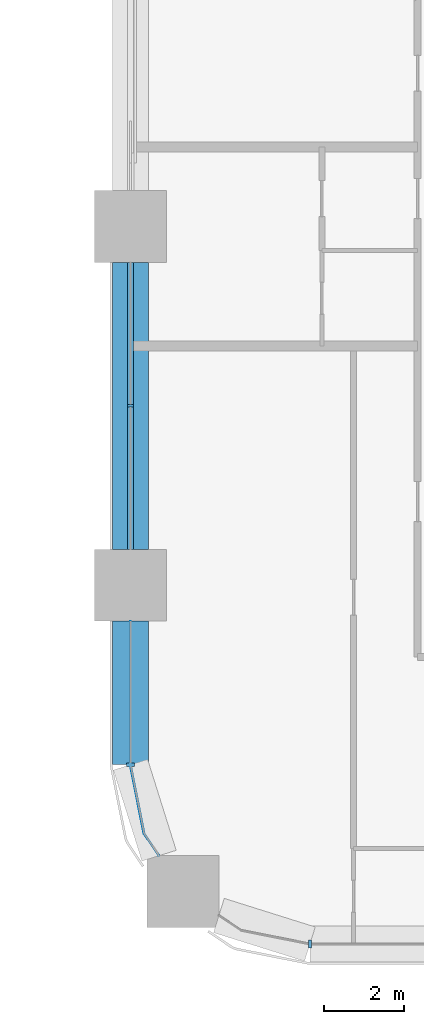
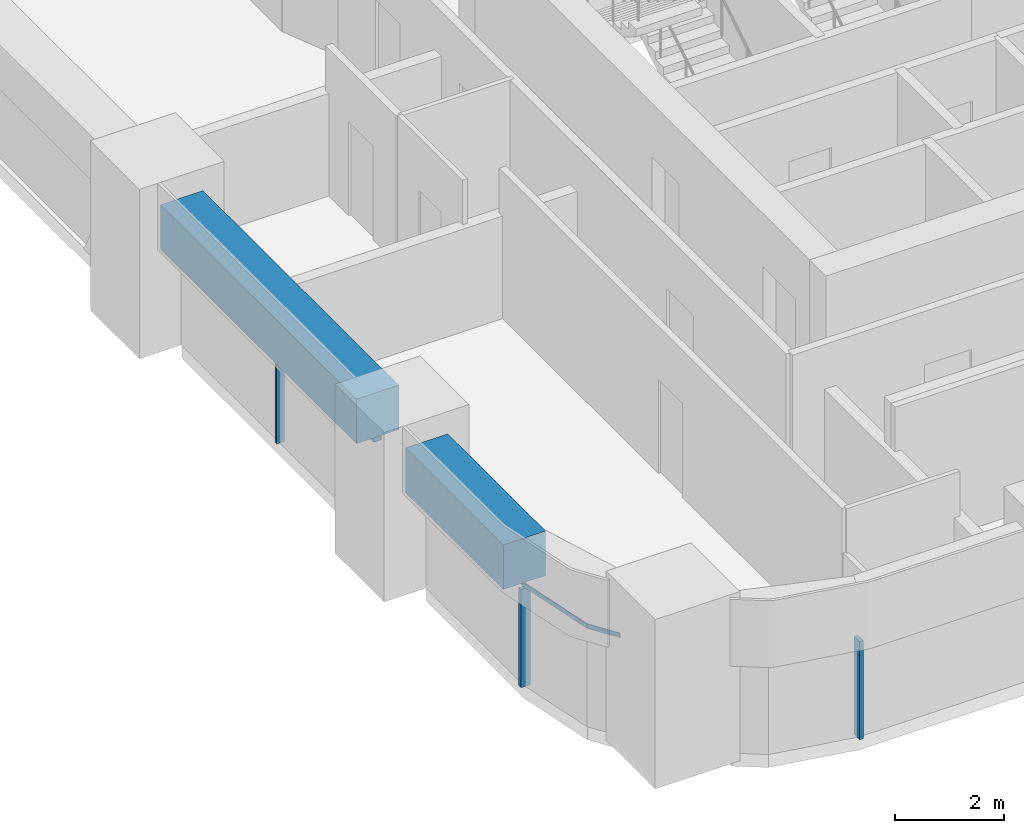
# One storey, part 2 of 20: 5 members, 2 beams, 3 elements without a shape of their own.
"""IFC4 building model written with IfcOpenShell, lengths in metres."""

import ifcopenshell
import ifcopenshell.guid

model = None  # the IFC model being written
_history = None  # IfcOwnerHistory: only IFC2X3 demands one
_inside = {}  # id of a spatial element -> (the spatial element, [elements in it])
_under = {}  # id of a project, library or spatial element -> (it, [spatial elements below it])
_declared = {}  # id of a project -> (the project, [libraries it declares])
_typed = {}  # id of a type object -> (the type object, [elements of that type])
_made_of = {}  # id of a material, layer set ... -> (it, [elements and type objects made of it])


def new_model(schema):
    """Start an empty IFC model of exactly this schema.

    Asked for "IFC4X3", IfcOpenShell would pick the latest addendum, in which some entities
    have other attributes; the version numbers below select the first issue.
    IFC2X3 requires an IfcOwnerHistory on every rooted entity: one is made here for all.
    """
    global model, _history
    if schema == "IFC4X3":
        model = ifcopenshell.file(schema_version=(4, 3, 0, 0))
    else:
        model = ifcopenshell.file(schema=schema)
    _inside.clear()
    _under.clear()
    _declared.clear()
    _typed.clear()
    _made_of.clear()
    _history = None
    if model.schema == "IFC2X3":
        org = make("IfcOrganization", Name="unknown")
        user = make(
            "IfcPersonAndOrganization",
            ThePerson=make("IfcPerson", FamilyName="unknown"),
            TheOrganization=org,
        )
        app = make(
            "IfcApplication",
            ApplicationDeveloper=org,
            Version="unknown",
            ApplicationFullName="unknown",
            ApplicationIdentifier="unknown",
        )
        _history = make(
            "IfcOwnerHistory",
            OwningUser=user,
            OwningApplication=app,
            ChangeAction="ADDED",
            CreationDate=0,
        )
    return model


def make(cls, **values):
    """One entity of the class cls with the attributes given. An attribute that is None is left unset."""
    return model.create_entity(
        cls, **{name: value for name, value in values.items() if value is not None}
    )


def rooted(cls, **values):
    """An entity with a GlobalId (a new one), such as an element, a storey or a relation."""
    return make(cls, GlobalId=ifcopenshell.guid.new(), OwnerHistory=_history, **values)


def si_unit(unit_type, name, prefix=None):
    """IfcSIUnit, for example si_unit("LENGTHUNIT", "METRE", prefix="MILLI")."""
    return make("IfcSIUnit", UnitType=unit_type, Prefix=prefix, Name=name)


def assignment(units):
    """IfcUnitAssignment: the units of a project."""
    return None if units is None else make("IfcUnitAssignment", Units=units)


def point(xyz):
    """IfcCartesianPoint."""
    return None if xyz is None else make("IfcCartesianPoint", Coordinates=xyz)


def direction(xyz):
    """IfcDirection."""
    return None if xyz is None else make("IfcDirection", DirectionRatios=xyz)


def frame(location, z_axis=None, x_axis=None):
    """IfcAxis2Placement3D, a coordinate frame: its origin and axes. An axis left out is left unset."""
    return make(
        "IfcAxis2Placement3D",
        Location=point(location),
        Axis=direction(z_axis),
        RefDirection=direction(x_axis),
    )


def frame_2d(location, x_axis=None):
    """IfcAxis2Placement2D, a coordinate frame in the plane: its origin and x axis."""
    return make(
        "IfcAxis2Placement2D", Location=point(location), RefDirection=direction(x_axis)
    )


def origin():
    """The frame at (0, 0, 0) with its axes left unset."""
    return frame((0.0, 0.0, 0.0))


def origin_2d():
    """The frame at (0, 0) in the plane with its x axis left unset."""
    return frame_2d((0.0, 0.0))


def place(relative_to, where):
    """IfcLocalPlacement: puts the frame where relative to a parent placement (None: the world)."""
    return make(
        "IfcLocalPlacement", PlacementRelTo=relative_to, RelativePlacement=where
    )


def context(
    kind, dimensions, precision=None, world=None, true_north=None, identifier=None
):
    """IfcGeometricRepresentationContext, for example the 3D "Model" context."""
    return make(
        "IfcGeometricRepresentationContext",
        ContextIdentifier=identifier,
        ContextType=kind,
        CoordinateSpaceDimension=dimensions,
        Precision=precision,
        WorldCoordinateSystem=world,
        TrueNorth=true_north,
    )


def subcontext(parent, identifier, kind, view, scale=None):
    """IfcGeometricRepresentationSubContext, for example "Body" below "Model"."""
    return make(
        "IfcGeometricRepresentationSubContext",
        ContextIdentifier=identifier,
        ContextType=kind,
        ParentContext=parent,
        TargetScale=scale,
        TargetView=view,
    )


def project(units=None, contexts=None):
    """IfcProject with its units and contexts."""
    return rooted(
        "IfcProject",
        Name="project",
        RepresentationContexts=contexts,
        UnitsInContext=assignment(units),
    )


def spatial(cls, under=None, at=None, **own):
    """A site, building, storey or space (cls), placed at a placement, below another one or the project."""
    s = rooted(cls, ObjectPlacement=at, **own)
    if under is not None:
        _under.setdefault(under.id(), (under, []))[1].append(s)
    return s


def polyline(points):
    """IfcPolyline through the points."""
    return make("IfcPolyline", Points=[point(p) for p in points])


def profile(cls, at=None, kind="AREA", **sizes):
    """A parametric profile (cls). Its sizes go by their IFC names, for example OverallWidth=200.0."""
    return make(cls, ProfileType=kind, Position=at, **sizes)


def rectangle(**sizes):
    """IfcRectangleProfileDef."""
    return profile("IfcRectangleProfileDef", **sizes)


def outline(outer, holes=None, kind="AREA"):
    """IfcArbitraryClosedProfileDef: a profile drawn as a closed curve; with holes, ...WithVoids."""
    if holes is None:
        return make("IfcArbitraryClosedProfileDef", ProfileType=kind, OuterCurve=outer)
    return make(
        "IfcArbitraryProfileDefWithVoids",
        ProfileType=kind,
        OuterCurve=outer,
        InnerCurves=holes,
    )


def extrude(swept, where, along, depth):
    """IfcExtrudedAreaSolid: the profile swept, set in the frame where, extruded along a direction by depth."""
    return make(
        "IfcExtrudedAreaSolid",
        SweptArea=swept,
        Position=where,
        ExtrudedDirection=direction(along),
        Depth=depth,
    )


def shape(context_of_items, identifier, shape_type, items):
    """IfcShapeRepresentation: the items that make up one representation, for example the "Body"."""
    return make(
        "IfcShapeRepresentation",
        ContextOfItems=context_of_items,
        RepresentationIdentifier=identifier,
        RepresentationType=shape_type,
        Items=items,
    )


def material(Name=None, Category=None):
    """IfcMaterial."""
    return make("IfcMaterial", Name=Name, Category=Category)


def material_profile(
    of_material, cross_section, Name=None, Category=None, Priority=None
):
    """IfcMaterialProfile: a cross section and its material."""
    return make(
        "IfcMaterialProfile",
        Name=Name,
        Material=of_material,
        Profile=cross_section,
        Priority=Priority,
        Category=Category,
    )


def profile_set(profiles, Name=None, composite=None):
    """IfcMaterialProfileSet."""
    return make(
        "IfcMaterialProfileSet",
        Name=Name,
        MaterialProfiles=profiles,
        CompositeProfile=composite,
    )


def made_of(thing, what):
    """Note that an element or type object is made of a material, layer set ...; save() writes the relation."""
    if what is not None:
        _made_of.setdefault(what.id(), (what, []))[1].append(thing)
    return thing


def type_object(cls, material=None, **own):
    """A type object (cls), such as IfcWallType, which elements share."""
    return made_of(rooted(cls, **own), material)


def element(
    cls,
    number,
    at=None,
    inside=None,
    cuts=None,
    type_object=None,
    material=None,
    context=None,
    identifier="Body",
    shape_type=None,
    held_by="IfcProductDefinitionShape",
    body=None,
    shapes=None,
    **own,
):
    """One element of the class cls, such as IfcWall. Its Tag is "e" and its number.

    at: its placement. inside: the storey or other place that contains it. cuts: it is an
    opening in that element (IfcRelVoidsElement). A single representation is given by context,
    identifier, shape_type and body (its items); several are given by shapes. held_by: the class
    of the entity that holds the representations. save() writes the other relations.
    """
    e = rooted(cls, Tag="e%d" % number, ObjectPlacement=at, **own)
    if body is not None:
        shapes = [shape(context, identifier, shape_type, body)]
    if shapes is not None:
        e.Representation = make(held_by, Representations=shapes)
    if inside is not None:
        _inside.setdefault(inside.id(), (inside, []))[1].append(e)
    if cuts is not None:
        rooted(
            "IfcRelVoidsElement", RelatingBuildingElement=cuts, RelatedOpeningElement=e
        )
    if type_object is not None:
        _typed.setdefault(type_object.id(), (type_object, []))[1].append(e)
    return made_of(e, material)


def aggregate(whole, parts):
    """IfcRelAggregates: a whole, such as a stair, and the parts it consists of."""
    return rooted("IfcRelAggregates", RelatingObject=whole, RelatedObjects=parts)


def save(model, path):
    """Write the relations noted so far, then the file.

    IfcRelAggregates (storeys below a building ...), IfcRelContainedInSpatialStructure (elements
    in a storey), IfcRelDefinesByType, IfcRelAssociatesMaterial and IfcRelDeclares: one each for
    every whole, place, type object, material and project.
    """
    for whole, parts in _under.values():
        aggregate(whole, parts)
    for where, things in _inside.values():
        rooted(
            "IfcRelContainedInSpatialStructure",
            RelatedElements=things,
            RelatingStructure=where,
        )
    for kind, things in _typed.values():
        rooted("IfcRelDefinesByType", RelatedObjects=things, RelatingType=kind)
    for what, things in _made_of.values():
        rooted("IfcRelAssociatesMaterial", RelatedObjects=things, RelatingMaterial=what)
    for by, libraries in _declared.values():
        rooted("IfcRelDeclares", RelatingContext=by, RelatedDefinitions=libraries)
    model.write(path)


model = new_model("IFC4")

# Units and contexts
model_context = context("Model", 3, precision=1e-05, world=origin(), true_north=direction((0.0, 1.0)))
body_context = subcontext(model_context, "Body", "Model", "MODEL_VIEW")
ifc_project = project(units=[si_unit("LENGTHUNIT", "METRE"), si_unit("AREAUNIT", "SQUARE_METRE"), si_unit("VOLUMEUNIT", "CUBIC_METRE"), si_unit("PLANEANGLEUNIT", "RADIAN"), si_unit("MASSUNIT", "GRAM", prefix="KILO")], contexts=[model_context])

# Site, building, storey
site_placement = place(None, origin())
site = spatial("IfcSite", under=ifc_project, at=site_placement, CompositionType="ELEMENT")
building_placement = place(site_placement, origin())
building = spatial("IfcBuilding", under=site, at=building_placement, Name="Tessera Arch", CompositionType="ELEMENT")
storey_placement = place(building_placement, frame((0.0, 0.0, 119.60009765625)))
storey = spatial("IfcBuildingStorey", under=building, at=storey_placement, Name="L28", CompositionType="ELEMENT", Elevation=119.60009765625)

# Curtain wall, members
ifc_material_1 = material(Name="CW1 curtain wall")
curtain_wall_type_1 = type_object("IfcCurtainWallType", Name="CW1 curtain wall", PredefinedType="NOTDEFINED", material=ifc_material_1)
curtain_wall_1_placement = place(storey_placement, origin())
curtain_wall_1 = element("IfcCurtainWall", 1, at=curtain_wall_1_placement, inside=storey, type_object=curtain_wall_type_1, Name="CW1 curtain wall W27.0/1 L28", PredefinedType="NOTDEFINED")
ifc_material_2 = material(Name="Anodised aluminium pale metal", Category="aluminium")
ifc_material_profile_1 = material_profile(ifc_material_2, rectangle(XDim=0.159912109375, YDim=0.06005859375, at=origin_2d()), Name="AL 60x160")
ifc_profile_set_1 = profile_set([ifc_material_profile_1], Name="Anodised aluminium pale metal")
member_type_1 = type_object("IfcMemberType", Name="CW1 mullion", PredefinedType="MULLION", material=ifc_profile_set_1)
member_1_placement = place(storey_placement, frame((27.0, 13.5, 0.0), z_axis=(0.0, 0.0, 1.0), x_axis=(1.0, 0.0, 0.0)))
member_1 = element("IfcMember", 2, at=member_1_placement, type_object=member_type_1, Name="CW1 mullion W27.0/1 1", PredefinedType="MULLION", context=body_context, shape_type="SweptSolid", body=[
    extrude(rectangle(XDim=0.159912109375, YDim=0.06005859375, at=origin_2d()), origin(), (0.0, 0.0, 1.0), 2.199951171875),
])
ifc_material_3 = material(Name="Anodised aluminium pale metal", Category="aluminium")
ifc_material_profile_2 = material_profile(ifc_material_3, rectangle(XDim=0.159912109375, YDim=0.10009765625, at=origin_2d()), Name="AL 160x100")
ifc_profile_set_2 = profile_set([ifc_material_profile_2], Name="Anodised aluminium pale metal")
member_type_2 = type_object("IfcMemberType", Name="CW1 transom", PredefinedType="USERDEFINED", material=ifc_profile_set_2)
member_2_placement = place(storey_placement, frame((27.0, 17.10009765625, 2.25), z_axis=(0.0, -1.0, 0.0), x_axis=(1.0, 0.0, 0.0)))
member_2 = element("IfcMember", 3, at=member_2_placement, type_object=member_type_2, Name="CW1 transom W27.0/1 1.1", ObjectType="TRANSOM", PredefinedType="USERDEFINED", context=body_context, shape_type="SweptSolid", body=[
    extrude(rectangle(XDim=0.159912109375, YDim=0.10009765625, at=origin_2d()), origin(), (0.0, 0.0, 1.0), 7.2001953125),
])
aggregate(curtain_wall_1, [member_1, member_2])

# Curtain wall, member
ifc_material_4 = material(Name="CW2 curtain wall")
curtain_wall_type_2 = type_object("IfcCurtainWallType", Name="CW2 curtain wall", PredefinedType="NOTDEFINED", material=ifc_material_4)
curtain_wall_2_placement = place(storey_placement, origin())
curtain_wall_2 = element("IfcCurtainWall", 4, at=curtain_wall_2_placement, inside=storey, type_object=curtain_wall_type_2, Name="CW2 curtain wall W27.0/2 L28", PredefinedType="NOTDEFINED")
ifc_material_5 = material(Name="Anodised aluminium pale metal", Category="aluminium")
ifc_material_profile_3 = material_profile(ifc_material_5, rectangle(XDim=0.199951171875, YDim=0.080078125, at=origin_2d()), Name="AL 80x200")
ifc_profile_set_3 = profile_set([ifc_material_profile_3], Name="Anodised aluminium pale metal")
member_type_3 = type_object("IfcMemberType", Name="CW2 mullion", PredefinedType="MULLION", material=ifc_profile_set_3)
member_3_placement = place(storey_placement, frame((27.0, 4.5, 0.0), z_axis=(0.0, 0.0, 1.0), x_axis=(1.0, 0.0, 0.0)))
member_3 = element("IfcMember", 5, at=member_3_placement, type_object=member_type_3, Name="CW2 mullion W27.0/2 1", PredefinedType="MULLION", context=body_context, shape_type="SweptSolid", body=[
    extrude(rectangle(XDim=0.199951171875, YDim=0.080078125, at=origin_2d()), origin(), (0.0, 0.0, 1.0), 2.199951171875),
])

curtain_wall_3_placement = place(storey_placement, origin())
curtain_wall_3 = element("IfcCurtainWall", 6, at=curtain_wall_3_placement, inside=storey, type_object=curtain_wall_type_2, Name="CW2 curtain wall S0.27/0 L28", PredefinedType="NOTDEFINED")
member_4_placement = place(storey_placement, frame((31.5, 0.0, 0.0), z_axis=(0.0, 0.0, 1.0), x_axis=(0.0, 1.0, 0.0)))
member_4 = element("IfcMember", 7, at=member_4_placement, type_object=member_type_3, Name="CW2 mullion S0.27/0 1", PredefinedType="MULLION", context=body_context, shape_type="SweptSolid", body=[
    extrude(rectangle(XDim=0.199951171875, YDim=0.080078125, at=origin_2d()), origin(), (0.0, 0.0, 1.0), 2.199951171875),
])
aggregate(curtain_wall_3, [member_4])

# Member
ifc_material_6 = material(Name="Anodised aluminium pale metal", Category="aluminium")
ifc_material_profile_4 = material_profile(ifc_material_6, rectangle(XDim=0.199951171875, YDim=0.10009765625, at=origin_2d()), Name="AL 200x100")
ifc_profile_set_4 = profile_set([ifc_material_profile_4], Name="Anodised aluminium pale metal")
member_type_4 = type_object("IfcMemberType", Name="CW2 transom", PredefinedType="USERDEFINED", material=ifc_profile_set_4)
member_5_placement = place(storey_placement, frame((0.0, 0.0, 2.199951171875)))
member_5 = element("IfcMember", 8, at=member_5_placement, type_object=member_type_4, Name="CW2 transom W27.0/2 1", ObjectType="TRANSOM", PredefinedType="USERDEFINED", context=body_context, shape_type="SweptSolid", body=[
    extrude(outline(polyline([(27.010009765625, 4.5009765625), (27.010009765625, 8.10009765625), (26.989990234375, 8.10009765625), (26.989990234375, 4.4990234375), (27.3330078125, 2.77392578125), (27.70849609375, 2.21240234375), (27.72509765625, 2.2236328125), (27.351806640625, 2.78173828125), (27.010009765625, 4.5009765625)])), origin(), (0.0, 0.0, 1.0), 0.099853515625),
])

aggregate(curtain_wall_2, [member_3, member_5])

# Beams
ifc_material_7 = material(Name="Concrete C80/95", Category="concrete")
ifc_material_profile_5 = material_profile(ifc_material_7, rectangle(XDim=0.89990234375, YDim=1.0, at=origin_2d()), Name="RC spandrel beam 900 x 1000 Concrete C80/95")
ifc_profile_set_5 = profile_set([ifc_material_profile_5], Name="Concrete C80/95")
beam_type = type_object("IfcBeamType", Name="RC spandrel beam 900 x 1000 Concrete C80/95", PredefinedType="BEAM", material=ifc_profile_set_5)
beam_1_placement = place(storey_placement, frame((27.0, 17.10009765625, 2.7998046875), z_axis=(0.0, -1.0, 0.0), x_axis=(1.0, 0.0, 0.0)))
element("IfcBeam", 9, at=beam_1_placement, inside=storey, type_object=beam_type, Name="Spandrel beam L28 W27.0/1", PredefinedType="BEAM", context=body_context, shape_type="SweptSolid", body=[
    extrude(rectangle(XDim=0.89990234375, YDim=1.0, at=origin_2d()), origin(), (0.0, 0.0, 1.0), 7.2001953125),
])
beam_2_placement = place(storey_placement, frame((27.0, 8.10009765625, 2.7998046875), z_axis=(0.0, -1.0, 0.0), x_axis=(1.0, 0.0, 0.0)))
element("IfcBeam", 10, at=beam_2_placement, inside=storey, type_object=beam_type, Name="Spandrel beam L28 W27.0/2.1", PredefinedType="BEAM", context=body_context, shape_type="SweptSolid", body=[
    extrude(rectangle(XDim=0.89990234375, YDim=1.0, at=origin_2d()), origin(), (0.0, 0.0, 1.0), 3.60009765625),
])

save(model, "model.ifc")
